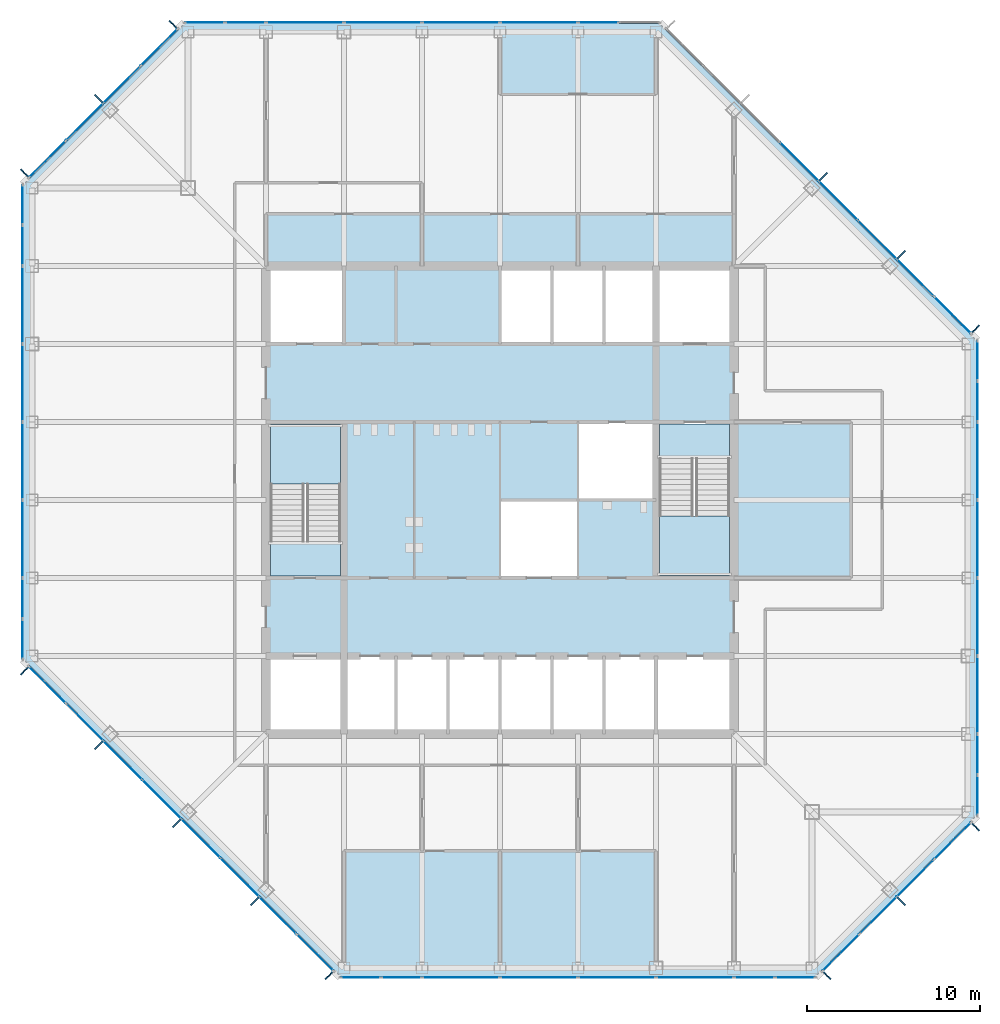
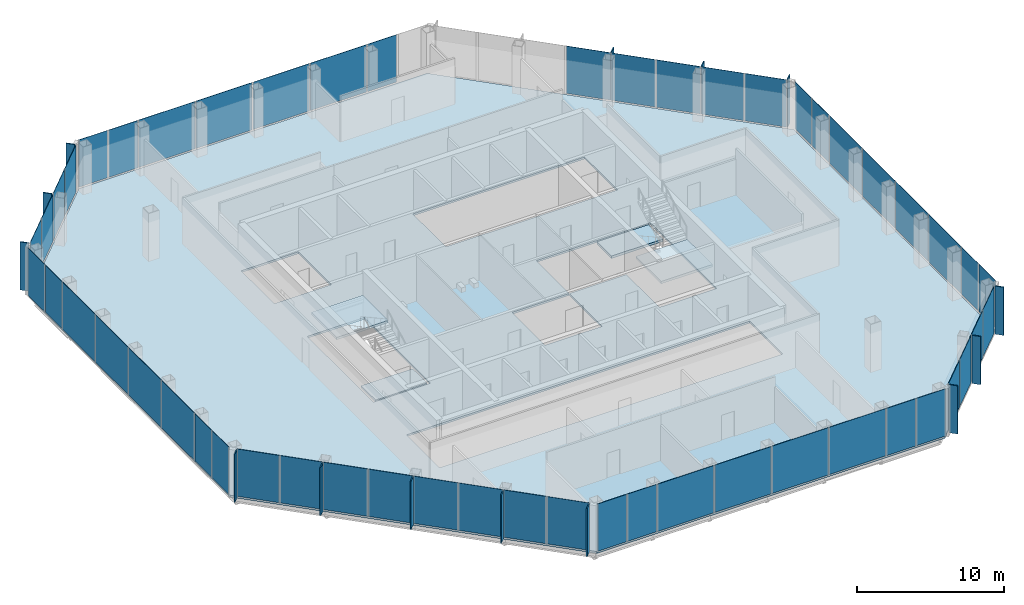
# One storey, part 7 of 12: 66 plates, 5 slabs, 10 elements without a shape of their own.
"""IFC4 building model written with IfcOpenShell, lengths in metres."""

from ifc_helpers import new_model, si_unit, direction, frame, origin, origin_2d, place, context, subcontext, project, spatial, polyline, rectangle, outline, extrude, material, layer, layer_set, type_object, element, aggregate, save


model = new_model("IFC4")

# Units and contexts
model_context = context("Model", 3, precision=1e-05, world=origin(), true_north=direction((0.0, 1.0)))
body_context = subcontext(model_context, "Body", "Model", "MODEL_VIEW")
ifc_project = project(units=[si_unit("LENGTHUNIT", "METRE"), si_unit("AREAUNIT", "SQUARE_METRE"), si_unit("VOLUMEUNIT", "CUBIC_METRE"), si_unit("PLANEANGLEUNIT", "RADIAN"), si_unit("MASSUNIT", "GRAM", prefix="KILO")], contexts=[model_context])

# Site, building, storey
site_placement = place(None, origin())
site = spatial("IfcSite", under=ifc_project, at=site_placement, CompositionType="ELEMENT")
building_placement = place(site_placement, origin())
building = spatial("IfcBuilding", under=site, at=building_placement, Name="Corais Broadcast Tower", CompositionType="ELEMENT")
storey_placement = place(building_placement, frame((0.0, 0.0, 183.60009765625)))
storey = spatial("IfcBuildingStorey", under=building, at=storey_placement, Name="L42", CompositionType="ELEMENT", Elevation=183.60009765625)

# Slab
ifc_material_1 = material(Name="Concrete C30/37", Category="concrete")
ifc_layer_1 = layer(ifc_material_1, 0.159912109375)
ifc_layer_set_1 = layer_set([ifc_layer_1], Name="Concrete C30/37")
slab_type_1 = type_object("IfcSlabType", Name="Composite floor slab 160", PredefinedType="FLOOR", material=ifc_layer_set_1)
slab_1_placement = place(storey_placement, frame((0.0, 0.0, -0.16015625)))
element("IfcSlab", 1, at=slab_1_placement, inside=storey, type_object=slab_type_1, Name="S160 floor slab L42", PredefinedType="FLOOR", context=body_context, shape_type="SweptSolid", body=[
    extrude(outline(polyline([(17.80126953125, -0.47998046875), (-0.47998046875, 17.80126953125), (-0.47998046875, 45.19873046875), (8.80126953125, 54.47998046875), (36.19873046875, 54.47998046875), (54.47998046875, 36.19873046875), (54.47998046875, 8.80126953125), (45.19873046875, -0.47998046875), (17.80126953125, -0.47998046875)]), holes=[polyline([(13.5, 18.0), (40.5, 18.0), (40.5, 13.5), (13.5, 13.5), (13.5, 18.0)]), polyline([(18.0, 22.5), (13.5, 22.5), (13.5, 31.5), (18.0, 31.5), (18.0, 22.5)]), polyline([(18.0, 36.0), (13.5, 36.0), (13.5, 40.5), (18.0, 40.5), (18.0, 36.0)]), polyline([(31.5, 22.5), (27.0, 22.5), (27.0, 27.0), (31.4951171875, 27.0), (31.4951171875, 27.0048828125), (31.5, 27.0048828125), (31.5, 31.5), (40.5, 31.5), (40.5, 22.5), (36.0, 22.5), (36.0, 27.0), (31.5048828125, 27.0), (31.5048828125, 26.9951171875), (31.5, 26.9951171875), (31.5, 22.5)]), polyline([(27.0, 40.5), (40.5, 40.5), (40.5, 36.0), (27.0, 36.0), (27.0, 40.5)])]), origin(), (0.0, 0.0, 1.0), 0.16015625),
])

# Curtain wall, plates
ifc_material_2 = material(Name="Aluminium and glass", Category="aluminium")
curtain_wall_type = type_object("IfcCurtainWallType", Name="Unitised fritted curtain wall CW2", PredefinedType="NOTDEFINED", material=ifc_material_2)
curtain_wall_1_placement = place(storey_placement, origin())
curtain_wall_1 = element("IfcCurtainWall", 2, at=curtain_wall_1_placement, inside=storey, type_object=curtain_wall_type, Name="CW2 curtain wall L42 1", PredefinedType="NOTDEFINED")
ifc_material_3 = material(Name="Ceramic-fritted laminated glass", Category="glass")
ifc_layer_2 = layer(ifc_material_3, 0.028076171875)
ifc_layer_set_2 = layer_set([ifc_layer_2], Name="Ceramic-fritted laminated glass")
plate_type_1 = type_object("IfcPlateType", Name="Fritted glass panel CW2", PredefinedType="CURTAIN_PANEL", material=ifc_layer_set_2)
plate_1_placement = place(storey_placement, frame((16.330322265625, 0.891845703125, 0.06494140625), z_axis=(0.0, 0.0, 1.0), x_axis=(-0.707106781187, 0.707106781187, 0.0)))
plate_1 = element("IfcPlate", 3, at=plate_1_placement, type_object=plate_type_1, Name="CW2 panel 1", PredefinedType="CURTAIN_PANEL", context=body_context, shape_type="SweptSolid", body=[
    extrude(rectangle(XDim=2.9482421875, YDim=0.028076171875, at=origin_2d()), origin(), (0.0, 0.0, 1.0), 3.93505859375),
])
plate_2_placement = place(storey_placement, frame((11.986083984375, 5.236083984375, 0.06494140625), z_axis=(0.0, 0.0, 1.0), x_axis=(-0.707106781187, 0.707106781187, 0.0)))
plate_2 = element("IfcPlate", 4, at=plate_2_placement, type_object=plate_type_1, Name="CW2 panel 3", PredefinedType="CURTAIN_PANEL", context=body_context, shape_type="SweptSolid", body=[
    extrude(rectangle(XDim=3.116943359375, YDim=0.028076171875, at=origin_2d()), origin(), (0.0, 0.0, 1.0), 3.93505859375),
])
plate_3_placement = place(storey_placement, frame((7.486083984375, 9.736083984375, 0.06494140625), z_axis=(0.0, 0.0, 1.0), x_axis=(-0.707106781187, 0.707106781187, 0.0)))
plate_3 = element("IfcPlate", 5, at=plate_3_placement, type_object=plate_type_1, Name="CW2 panel 5", PredefinedType="CURTAIN_PANEL", context=body_context, shape_type="SweptSolid", body=[
    extrude(rectangle(XDim=3.116943359375, YDim=0.028076171875, at=origin_2d()), origin(), (0.0, 0.0, 1.0), 3.93505859375),
])
plate_4_placement = place(storey_placement, frame((3.0341796875, 14.18798828125, 0.06494140625), z_axis=(0.0, 0.0, 1.0), x_axis=(-0.707106781187, 0.707106781187, 0.0)))
plate_4 = element("IfcPlate", 6, at=plate_4_placement, type_object=plate_type_1, Name="CW2 panel 7", PredefinedType="CURTAIN_PANEL", context=body_context, shape_type="SweptSolid", body=[
    extrude(rectangle(XDim=2.98095703125, YDim=0.028076171875, at=origin_2d()), origin(), (0.0, 0.0, 1.0), 3.93505859375),
])

curtain_wall_2_placement = place(storey_placement, origin())
curtain_wall_2 = element("IfcCurtainWall", 7, at=curtain_wall_2_placement, inside=storey, type_object=curtain_wall_type, Name="CW2 curtain wall L42 2", PredefinedType="NOTDEFINED")
plate_5_placement = place(storey_placement, frame((-0.550048828125, 18.970458984375, 0.06494140625), z_axis=(0.0, 0.0, 1.0), x_axis=(0.0, 1.0, 0.0)))
plate_5 = element("IfcPlate", 8, at=plate_5_placement, type_object=plate_type_1, Name="CW2 panel 1", PredefinedType="CURTAIN_PANEL", context=body_context, shape_type="SweptSolid", body=[
    extrude(rectangle(XDim=2.266357421875, YDim=0.028076171875, at=origin_2d()), origin(), (0.0, 0.0, 1.0), 3.93505859375),
])
plate_6_placement = place(storey_placement, frame((-0.550048828125, 24.75, 0.06494140625), z_axis=(0.0, 0.0, 1.0), x_axis=(0.0, 1.0, 0.0)))
plate_6 = element("IfcPlate", 9, at=plate_6_placement, type_object=plate_type_1, Name="CW2 panel 3", PredefinedType="CURTAIN_PANEL", context=body_context, shape_type="SweptSolid", body=[
    extrude(rectangle(XDim=4.43505859375, YDim=0.028076171875, at=origin_2d()), origin(), (0.0, 0.0, 1.0), 3.93505859375),
])
plate_7_placement = place(storey_placement, frame((-0.550048828125, 33.75, 0.06494140625), z_axis=(0.0, 0.0, 1.0), x_axis=(0.0, 1.0, 0.0)))
plate_7 = element("IfcPlate", 10, at=plate_7_placement, type_object=plate_type_1, Name="CW2 panel 5", PredefinedType="CURTAIN_PANEL", context=body_context, shape_type="SweptSolid", body=[
    extrude(rectangle(XDim=4.43505859375, YDim=0.028076171875, at=origin_2d()), origin(), (0.0, 0.0, 1.0), 3.93505859375),
])
plate_8_placement = place(storey_placement, frame((-0.550048828125, 41.681884765625, 0.06494140625), z_axis=(0.0, 0.0, 1.0), x_axis=(0.0, 1.0, 0.0)))
plate_8 = element("IfcPlate", 11, at=plate_8_placement, type_object=plate_type_1, Name="CW2 panel 7", PredefinedType="CURTAIN_PANEL", context=body_context, shape_type="SweptSolid", body=[
    extrude(rectangle(XDim=2.298828125, YDim=0.028076171875, at=origin_2d()), origin(), (0.0, 0.0, 1.0), 3.93505859375),
])

curtain_wall_3_placement = place(storey_placement, origin())
curtain_wall_3 = element("IfcCurtainWall", 12, at=curtain_wall_3_placement, inside=storey, type_object=curtain_wall_type, Name="CW2 curtain wall L42 3", PredefinedType="NOTDEFINED")
plate_9_placement = place(storey_placement, frame((0.891845703125, 46.669677734375, 0.06494140625), z_axis=(0.0, 0.0, 1.0), x_axis=(0.707106781187, 0.707106781187, 0.0)))
plate_9 = element("IfcPlate", 13, at=plate_9_placement, type_object=plate_type_1, Name="CW2 panel 1", PredefinedType="CURTAIN_PANEL", context=body_context, shape_type="SweptSolid", body=[
    extrude(rectangle(XDim=2.9482421875, YDim=0.028076171875, at=origin_2d()), origin(), (0.0, 0.0, 1.0), 3.93505859375),
])
plate_10_placement = place(storey_placement, frame((5.18798828125, 50.9658203125, 0.06494140625), z_axis=(0.0, 0.0, 1.0), x_axis=(0.707106781187, 0.707106781187, 0.0)))
plate_10 = element("IfcPlate", 14, at=plate_10_placement, type_object=plate_type_1, Name="CW2 panel 3", PredefinedType="CURTAIN_PANEL", context=body_context, shape_type="SweptSolid", body=[
    extrude(rectangle(XDim=2.98095703125, YDim=0.028076171875, at=origin_2d()), origin(), (0.0, 0.0, 1.0), 3.93505859375),
])

curtain_wall_4_placement = place(storey_placement, origin())
curtain_wall_4 = element("IfcCurtainWall", 15, at=curtain_wall_4_placement, inside=storey, type_object=curtain_wall_type, Name="CW2 curtain wall L42 4", PredefinedType="NOTDEFINED")
plate_11_placement = place(storey_placement, frame((9.970458984375, 54.550048828125, 0.06494140625), z_axis=(0.0, 0.0, 1.0), x_axis=(1.0, 0.0, 0.0)))
plate_11 = element("IfcPlate", 16, at=plate_11_placement, type_object=plate_type_1, Name="CW2 panel 1", PredefinedType="CURTAIN_PANEL", context=body_context, shape_type="SweptSolid", body=[
    extrude(rectangle(XDim=2.266357421875, YDim=0.028076171875, at=origin_2d()), origin(), (0.0, 0.0, 1.0), 3.93505859375),
])
plate_12_placement = place(storey_placement, frame((15.75, 54.550048828125, 0.06494140625), z_axis=(0.0, 0.0, 1.0), x_axis=(1.0, 0.0, 0.0)))
plate_12 = element("IfcPlate", 17, at=plate_12_placement, type_object=plate_type_1, Name="CW2 panel 3", PredefinedType="CURTAIN_PANEL", context=body_context, shape_type="SweptSolid", body=[
    extrude(rectangle(XDim=4.43505859375, YDim=0.028076171875, at=origin_2d()), origin(), (0.0, 0.0, 1.0), 3.93505859375),
])
plate_13_placement = place(storey_placement, frame((24.75, 54.550048828125, 0.06494140625), z_axis=(0.0, 0.0, 1.0), x_axis=(1.0, 0.0, 0.0)))
plate_13 = element("IfcPlate", 18, at=plate_13_placement, type_object=plate_type_1, Name="CW2 panel 5", PredefinedType="CURTAIN_PANEL", context=body_context, shape_type="SweptSolid", body=[
    extrude(rectangle(XDim=4.43505859375, YDim=0.028076171875, at=origin_2d()), origin(), (0.0, 0.0, 1.0), 3.93505859375),
])
plate_14_placement = place(storey_placement, frame((32.681884765625, 54.550048828125, 0.06494140625), z_axis=(0.0, 0.0, 1.0), x_axis=(1.0, 0.0, 0.0)))
plate_14 = element("IfcPlate", 19, at=plate_14_placement, type_object=plate_type_1, Name="CW2 panel 7", PredefinedType="CURTAIN_PANEL", context=body_context, shape_type="SweptSolid", body=[
    extrude(rectangle(XDim=2.298828125, YDim=0.028076171875, at=origin_2d()), origin(), (0.0, 0.0, 1.0), 3.93505859375),
])

curtain_wall_5_placement = place(storey_placement, origin())
curtain_wall_5 = element("IfcCurtainWall", 20, at=curtain_wall_5_placement, inside=storey, type_object=curtain_wall_type, Name="CW2 curtain wall L42 5", PredefinedType="NOTDEFINED")
plate_15_placement = place(storey_placement, frame((46.513916015625, 44.263916015625, 0.06494140625), z_axis=(0.0, 0.0, 1.0), x_axis=(0.707106781187, -0.707106781187, 0.0)))
plate_15 = element("IfcPlate", 21, at=plate_15_placement, type_object=plate_type_1, Name="CW2 panel 5", PredefinedType="CURTAIN_PANEL", context=body_context, shape_type="SweptSolid", body=[
    extrude(rectangle(XDim=3.116943359375, YDim=0.028076171875, at=origin_2d()), origin(), (0.0, 0.0, 1.0), 3.93505859375),
])
plate_16_placement = place(storey_placement, frame((50.9658203125, 39.81201171875, 0.06494140625), z_axis=(0.0, 0.0, 1.0), x_axis=(0.707106781187, -0.707106781187, 0.0)))
plate_16 = element("IfcPlate", 22, at=plate_16_placement, type_object=plate_type_1, Name="CW2 panel 7", PredefinedType="CURTAIN_PANEL", context=body_context, shape_type="SweptSolid", body=[
    extrude(rectangle(XDim=2.98095703125, YDim=0.028076171875, at=origin_2d()), origin(), (0.0, 0.0, 1.0), 3.93505859375),
])

curtain_wall_6_placement = place(storey_placement, origin())
curtain_wall_6 = element("IfcCurtainWall", 23, at=curtain_wall_6_placement, inside=storey, type_object=curtain_wall_type, Name="CW2 curtain wall L42 6", PredefinedType="NOTDEFINED")
plate_17_placement = place(storey_placement, frame((54.550048828125, 35.029541015625, 0.06494140625), z_axis=(0.0, 0.0, 1.0), x_axis=(0.0, -1.0, 0.0)))
plate_17 = element("IfcPlate", 24, at=plate_17_placement, type_object=plate_type_1, Name="CW2 panel 1", PredefinedType="CURTAIN_PANEL", context=body_context, shape_type="SweptSolid", body=[
    extrude(rectangle(XDim=2.266357421875, YDim=0.028076171875, at=origin_2d()), origin(), (0.0, 0.0, 1.0), 3.93505859375),
])
plate_18_placement = place(storey_placement, frame((54.550048828125, 29.25, 0.06494140625), z_axis=(0.0, 0.0, 1.0), x_axis=(0.0, -1.0, 0.0)))
plate_18 = element("IfcPlate", 25, at=plate_18_placement, type_object=plate_type_1, Name="CW2 panel 3", PredefinedType="CURTAIN_PANEL", context=body_context, shape_type="SweptSolid", body=[
    extrude(rectangle(XDim=4.43505859375, YDim=0.028076171875, at=origin_2d()), origin(), (0.0, 0.0, 1.0), 3.93505859375),
])
plate_19_placement = place(storey_placement, frame((54.550048828125, 20.25, 0.06494140625), z_axis=(0.0, 0.0, 1.0), x_axis=(0.0, -1.0, 0.0)))
plate_19 = element("IfcPlate", 26, at=plate_19_placement, type_object=plate_type_1, Name="CW2 panel 5", PredefinedType="CURTAIN_PANEL", context=body_context, shape_type="SweptSolid", body=[
    extrude(rectangle(XDim=4.43505859375, YDim=0.028076171875, at=origin_2d()), origin(), (0.0, 0.0, 1.0), 3.93505859375),
])
plate_20_placement = place(storey_placement, frame((54.550048828125, 12.318115234375, 0.06494140625), z_axis=(0.0, 0.0, 1.0), x_axis=(0.0, -1.0, 0.0)))
plate_20 = element("IfcPlate", 27, at=plate_20_placement, type_object=plate_type_1, Name="CW2 panel 7", PredefinedType="CURTAIN_PANEL", context=body_context, shape_type="SweptSolid", body=[
    extrude(rectangle(XDim=2.298828125, YDim=0.028076171875, at=origin_2d()), origin(), (0.0, 0.0, 1.0), 3.93505859375),
])

curtain_wall_7_placement = place(storey_placement, origin())
curtain_wall_7 = element("IfcCurtainWall", 28, at=curtain_wall_7_placement, inside=storey, type_object=curtain_wall_type, Name="CW2 curtain wall L42 7", PredefinedType="NOTDEFINED")
plate_21_placement = place(storey_placement, frame((53.108154296875, 7.330322265625, 0.06494140625), z_axis=(0.0, 0.0, 1.0), x_axis=(-0.707106781187, -0.707106781187, 0.0)))
plate_21 = element("IfcPlate", 29, at=plate_21_placement, type_object=plate_type_1, Name="CW2 panel 1", PredefinedType="CURTAIN_PANEL", context=body_context, shape_type="SweptSolid", body=[
    extrude(rectangle(XDim=2.9482421875, YDim=0.028076171875, at=origin_2d()), origin(), (0.0, 0.0, 1.0), 3.93505859375),
])
plate_22_placement = place(storey_placement, frame((48.81201171875, 3.0341796875, 0.06494140625), z_axis=(0.0, 0.0, 1.0), x_axis=(-0.707106781187, -0.707106781187, 0.0)))
plate_22 = element("IfcPlate", 30, at=plate_22_placement, type_object=plate_type_1, Name="CW2 panel 3", PredefinedType="CURTAIN_PANEL", context=body_context, shape_type="SweptSolid", body=[
    extrude(rectangle(XDim=2.98095703125, YDim=0.028076171875, at=origin_2d()), origin(), (0.0, 0.0, 1.0), 3.93505859375),
])

curtain_wall_8_placement = place(storey_placement, origin())
curtain_wall_8 = element("IfcCurtainWall", 31, at=curtain_wall_8_placement, inside=storey, type_object=curtain_wall_type, Name="CW2 curtain wall L42 8", PredefinedType="NOTDEFINED")
plate_23_placement = place(storey_placement, frame((44.029541015625, -0.550048828125, 0.06494140625), z_axis=(0.0, 0.0, 1.0), x_axis=(-1.0, 0.0, 0.0)))
plate_23 = element("IfcPlate", 32, at=plate_23_placement, type_object=plate_type_1, Name="CW2 panel 1", PredefinedType="CURTAIN_PANEL", context=body_context, shape_type="SweptSolid", body=[
    extrude(rectangle(XDim=2.266357421875, YDim=0.028076171875, at=origin_2d()), origin(), (0.0, 0.0, 1.0), 3.93505859375),
])
plate_24_placement = place(storey_placement, frame((38.25, -0.550048828125, 0.06494140625), z_axis=(0.0, 0.0, 1.0), x_axis=(-1.0, 0.0, 0.0)))
plate_24 = element("IfcPlate", 33, at=plate_24_placement, type_object=plate_type_1, Name="CW2 panel 3", PredefinedType="CURTAIN_PANEL", context=body_context, shape_type="SweptSolid", body=[
    extrude(rectangle(XDim=4.43505859375, YDim=0.028076171875, at=origin_2d()), origin(), (0.0, 0.0, 1.0), 3.93505859375),
])
plate_25_placement = place(storey_placement, frame((29.25, -0.550048828125, 0.06494140625), z_axis=(0.0, 0.0, 1.0), x_axis=(-1.0, 0.0, 0.0)))
plate_25 = element("IfcPlate", 34, at=plate_25_placement, type_object=plate_type_1, Name="CW2 panel 5", PredefinedType="CURTAIN_PANEL", context=body_context, shape_type="SweptSolid", body=[
    extrude(rectangle(XDim=4.43505859375, YDim=0.028076171875, at=origin_2d()), origin(), (0.0, 0.0, 1.0), 3.93505859375),
])
plate_26_placement = place(storey_placement, frame((21.318115234375, -0.550048828125, 0.06494140625), z_axis=(0.0, 0.0, 1.0), x_axis=(-1.0, 0.0, 0.0)))
plate_26 = element("IfcPlate", 35, at=plate_26_placement, type_object=plate_type_1, Name="CW2 panel 7", PredefinedType="CURTAIN_PANEL", context=body_context, shape_type="SweptSolid", body=[
    extrude(rectangle(XDim=2.298828125, YDim=0.028076171875, at=origin_2d()), origin(), (0.0, 0.0, 1.0), 3.93505859375),
])

# Plate
ifc_material_4 = material(Name="Clear laminated glass", Category="glass")
ifc_layer_3 = layer(ifc_material_4, 0.031982421875)
ifc_layer_set_3 = layer_set([ifc_layer_3], Name="Clear laminated glass")
plate_type_2 = type_object("IfcPlateType", Name="Operable glass panel CW2", PredefinedType="CURTAIN_PANEL", material=ifc_layer_set_3)
plate_27_placement = place(storey_placement, frame((14.18798828125, 3.0341796875, 0.06494140625), z_axis=(0.0, 0.0, 1.0), x_axis=(-0.707106781187, 0.707106781187, 0.0)))
plate_27 = element("IfcPlate", 36, at=plate_27_placement, type_object=plate_type_2, Name="CW2 operable panel 2", PredefinedType="CURTAIN_PANEL", context=body_context, shape_type="SweptSolid", body=[
    extrude(rectangle(XDim=2.98095703125, YDim=0.031982421875, at=origin_2d()), origin(), (0.0, 0.0, 1.0), 3.93505859375),
])

plate_28_placement = place(storey_placement, frame((9.736083984375, 7.486083984375, 0.06494140625), z_axis=(0.0, 0.0, 1.0), x_axis=(-0.707106781187, 0.707106781187, 0.0)))
plate_28 = element("IfcPlate", 37, at=plate_28_placement, type_object=plate_type_2, Name="CW2 operable panel 4", PredefinedType="CURTAIN_PANEL", context=body_context, shape_type="SweptSolid", body=[
    extrude(rectangle(XDim=3.116943359375, YDim=0.031982421875, at=origin_2d()), origin(), (0.0, 0.0, 1.0), 3.93505859375),
])

plate_29_placement = place(storey_placement, frame((5.236083984375, 11.986083984375, 0.06494140625), z_axis=(0.0, 0.0, 1.0), x_axis=(-0.707106781187, 0.707106781187, 0.0)))
plate_29 = element("IfcPlate", 38, at=plate_29_placement, type_object=plate_type_2, Name="CW2 operable panel 6", PredefinedType="CURTAIN_PANEL", context=body_context, shape_type="SweptSolid", body=[
    extrude(rectangle(XDim=3.116943359375, YDim=0.031982421875, at=origin_2d()), origin(), (0.0, 0.0, 1.0), 3.93505859375),
])

plate_30_placement = place(storey_placement, frame((0.89208984375, 16.330322265625, 0.06494140625), z_axis=(0.0, 0.0, 1.0), x_axis=(-0.707106781187, 0.707106781187, 0.0)))
plate_30 = element("IfcPlate", 39, at=plate_30_placement, type_object=plate_type_2, Name="CW2 operable panel 8", PredefinedType="CURTAIN_PANEL", context=body_context, shape_type="SweptSolid", body=[
    extrude(rectangle(XDim=2.948486328125, YDim=0.031982421875, at=origin_2d()), origin(), (0.0, 0.0, 1.0), 3.93505859375),
])

aggregate(curtain_wall_1, [plate_1, plate_27, plate_2, plate_28, plate_3, plate_29, plate_4, plate_30])

plate_31_placement = place(storey_placement, frame((-0.550048828125, 21.318115234375, 0.06494140625), z_axis=(0.0, 0.0, 1.0), x_axis=(0.0, 1.0, 0.0)))
plate_31 = element("IfcPlate", 40, at=plate_31_placement, type_object=plate_type_2, Name="CW2 operable panel 2", PredefinedType="CURTAIN_PANEL", context=body_context, shape_type="SweptSolid", body=[
    extrude(rectangle(XDim=2.298828125, YDim=0.031982421875, at=origin_2d()), origin(), (0.0, 0.0, 1.0), 3.93505859375),
])

plate_32_placement = place(storey_placement, frame((-0.550048828125, 29.25, 0.06494140625), z_axis=(0.0, 0.0, 1.0), x_axis=(0.0, 1.0, 0.0)))
plate_32 = element("IfcPlate", 41, at=plate_32_placement, type_object=plate_type_2, Name="CW2 operable panel 4", PredefinedType="CURTAIN_PANEL", context=body_context, shape_type="SweptSolid", body=[
    extrude(rectangle(XDim=4.43505859375, YDim=0.031982421875, at=origin_2d()), origin(), (0.0, 0.0, 1.0), 3.93505859375),
])

plate_33_placement = place(storey_placement, frame((-0.550048828125, 38.25, 0.06494140625), z_axis=(0.0, 0.0, 1.0), x_axis=(0.0, 1.0, 0.0)))
plate_33 = element("IfcPlate", 42, at=plate_33_placement, type_object=plate_type_2, Name="CW2 operable panel 6", PredefinedType="CURTAIN_PANEL", context=body_context, shape_type="SweptSolid", body=[
    extrude(rectangle(XDim=4.43505859375, YDim=0.031982421875, at=origin_2d()), origin(), (0.0, 0.0, 1.0), 3.93505859375),
])

plate_34_placement = place(storey_placement, frame((-0.550048828125, 44.029541015625, 0.06494140625), z_axis=(0.0, 0.0, 1.0), x_axis=(0.0, 1.0, 0.0)))
plate_34 = element("IfcPlate", 43, at=plate_34_placement, type_object=plate_type_2, Name="CW2 operable panel 8", PredefinedType="CURTAIN_PANEL", context=body_context, shape_type="SweptSolid", body=[
    extrude(rectangle(XDim=2.266357421875, YDim=0.031982421875, at=origin_2d()), origin(), (0.0, 0.0, 1.0), 3.93505859375),
])

aggregate(curtain_wall_2, [plate_5, plate_31, plate_6, plate_32, plate_7, plate_33, plate_8, plate_34])

plate_35_placement = place(storey_placement, frame((3.0341796875, 48.81201171875, 0.06494140625), z_axis=(0.0, 0.0, 1.0), x_axis=(0.707106781187, 0.707106781187, 0.0)))
plate_35 = element("IfcPlate", 44, at=plate_35_placement, type_object=plate_type_2, Name="CW2 operable panel 2", PredefinedType="CURTAIN_PANEL", context=body_context, shape_type="SweptSolid", body=[
    extrude(rectangle(XDim=2.98095703125, YDim=0.031982421875, at=origin_2d()), origin(), (0.0, 0.0, 1.0), 3.93505859375),
])

plate_36_placement = place(storey_placement, frame((7.330322265625, 53.10791015625, 0.06494140625), z_axis=(0.0, 0.0, 1.0), x_axis=(0.707106781187, 0.707106781187, 0.0)))
plate_36 = element("IfcPlate", 45, at=plate_36_placement, type_object=plate_type_2, Name="CW2 operable panel 4", PredefinedType="CURTAIN_PANEL", context=body_context, shape_type="SweptSolid", body=[
    extrude(rectangle(XDim=2.948486328125, YDim=0.031982421875, at=origin_2d()), origin(), (0.0, 0.0, 1.0), 3.93505859375),
])

aggregate(curtain_wall_3, [plate_9, plate_35, plate_10, plate_36])

plate_37_placement = place(storey_placement, frame((12.318115234375, 54.550048828125, 0.06494140625), z_axis=(0.0, 0.0, 1.0), x_axis=(1.0, 0.0, 0.0)))
plate_37 = element("IfcPlate", 46, at=plate_37_placement, type_object=plate_type_2, Name="CW2 operable panel 2", PredefinedType="CURTAIN_PANEL", context=body_context, shape_type="SweptSolid", body=[
    extrude(rectangle(XDim=2.298828125, YDim=0.031982421875, at=origin_2d()), origin(), (0.0, 0.0, 1.0), 3.93505859375),
])

plate_38_placement = place(storey_placement, frame((20.25, 54.550048828125, 0.06494140625), z_axis=(0.0, 0.0, 1.0), x_axis=(1.0, 0.0, 0.0)))
plate_38 = element("IfcPlate", 47, at=plate_38_placement, type_object=plate_type_2, Name="CW2 operable panel 4", PredefinedType="CURTAIN_PANEL", context=body_context, shape_type="SweptSolid", body=[
    extrude(rectangle(XDim=4.43505859375, YDim=0.031982421875, at=origin_2d()), origin(), (0.0, 0.0, 1.0), 3.93505859375),
])

plate_39_placement = place(storey_placement, frame((29.25, 54.550048828125, 0.06494140625), z_axis=(0.0, 0.0, 1.0), x_axis=(1.0, 0.0, 0.0)))
plate_39 = element("IfcPlate", 48, at=plate_39_placement, type_object=plate_type_2, Name="CW2 operable panel 6", PredefinedType="CURTAIN_PANEL", context=body_context, shape_type="SweptSolid", body=[
    extrude(rectangle(XDim=4.43505859375, YDim=0.031982421875, at=origin_2d()), origin(), (0.0, 0.0, 1.0), 3.93505859375),
])

aggregate(curtain_wall_4, [plate_11, plate_37, plate_12, plate_38, plate_13, plate_39, plate_14])

plate_40_placement = place(storey_placement, frame((44.263916015625, 46.513916015625, 0.06494140625), z_axis=(0.0, 0.0, 1.0), x_axis=(0.707106781187, -0.707106781187, 0.0)))
plate_40 = element("IfcPlate", 49, at=plate_40_placement, type_object=plate_type_2, Name="CW2 operable panel 4", PredefinedType="CURTAIN_PANEL", context=body_context, shape_type="SweptSolid", body=[
    extrude(rectangle(XDim=3.116943359375, YDim=0.031982421875, at=origin_2d()), origin(), (0.0, 0.0, 1.0), 3.93505859375),
])

plate_41_placement = place(storey_placement, frame((48.763916015625, 42.013916015625, 0.06494140625), z_axis=(0.0, 0.0, 1.0), x_axis=(0.707106781187, -0.707106781187, 0.0)))
plate_41 = element("IfcPlate", 50, at=plate_41_placement, type_object=plate_type_2, Name="CW2 operable panel 6", PredefinedType="CURTAIN_PANEL", context=body_context, shape_type="SweptSolid", body=[
    extrude(rectangle(XDim=3.116943359375, YDim=0.031982421875, at=origin_2d()), origin(), (0.0, 0.0, 1.0), 3.93505859375),
])

plate_42_placement = place(storey_placement, frame((53.10791015625, 37.669677734375, 0.06494140625), z_axis=(0.0, 0.0, 1.0), x_axis=(0.707106781187, -0.707106781187, 0.0)))
plate_42 = element("IfcPlate", 51, at=plate_42_placement, type_object=plate_type_2, Name="CW2 operable panel 8", PredefinedType="CURTAIN_PANEL", context=body_context, shape_type="SweptSolid", body=[
    extrude(rectangle(XDim=2.948486328125, YDim=0.031982421875, at=origin_2d()), origin(), (0.0, 0.0, 1.0), 3.93505859375),
])

aggregate(curtain_wall_5, [plate_40, plate_15, plate_41, plate_16, plate_42])

plate_43_placement = place(storey_placement, frame((54.550048828125, 32.681884765625, 0.06494140625), z_axis=(0.0, 0.0, 1.0), x_axis=(0.0, -1.0, 0.0)))
plate_43 = element("IfcPlate", 52, at=plate_43_placement, type_object=plate_type_2, Name="CW2 operable panel 2", PredefinedType="CURTAIN_PANEL", context=body_context, shape_type="SweptSolid", body=[
    extrude(rectangle(XDim=2.298828125, YDim=0.031982421875, at=origin_2d()), origin(), (0.0, 0.0, 1.0), 3.93505859375),
])

plate_44_placement = place(storey_placement, frame((54.550048828125, 24.75, 0.06494140625), z_axis=(0.0, 0.0, 1.0), x_axis=(0.0, -1.0, 0.0)))
plate_44 = element("IfcPlate", 53, at=plate_44_placement, type_object=plate_type_2, Name="CW2 operable panel 4", PredefinedType="CURTAIN_PANEL", context=body_context, shape_type="SweptSolid", body=[
    extrude(rectangle(XDim=4.43505859375, YDim=0.031982421875, at=origin_2d()), origin(), (0.0, 0.0, 1.0), 3.93505859375),
])

plate_45_placement = place(storey_placement, frame((54.550048828125, 15.75, 0.06494140625), z_axis=(0.0, 0.0, 1.0), x_axis=(0.0, -1.0, 0.0)))
plate_45 = element("IfcPlate", 54, at=plate_45_placement, type_object=plate_type_2, Name="CW2 operable panel 6", PredefinedType="CURTAIN_PANEL", context=body_context, shape_type="SweptSolid", body=[
    extrude(rectangle(XDim=4.43505859375, YDim=0.031982421875, at=origin_2d()), origin(), (0.0, 0.0, 1.0), 3.93505859375),
])

plate_46_placement = place(storey_placement, frame((54.550048828125, 9.970458984375, 0.06494140625), z_axis=(0.0, 0.0, 1.0), x_axis=(0.0, -1.0, 0.0)))
plate_46 = element("IfcPlate", 55, at=plate_46_placement, type_object=plate_type_2, Name="CW2 operable panel 8", PredefinedType="CURTAIN_PANEL", context=body_context, shape_type="SweptSolid", body=[
    extrude(rectangle(XDim=2.266357421875, YDim=0.031982421875, at=origin_2d()), origin(), (0.0, 0.0, 1.0), 3.93505859375),
])

aggregate(curtain_wall_6, [plate_17, plate_43, plate_18, plate_44, plate_19, plate_45, plate_20, plate_46])

plate_47_placement = place(storey_placement, frame((50.9658203125, 5.18798828125, 0.06494140625), z_axis=(0.0, 0.0, 1.0), x_axis=(-0.707106781187, -0.707106781187, 0.0)))
plate_47 = element("IfcPlate", 56, at=plate_47_placement, type_object=plate_type_2, Name="CW2 operable panel 2", PredefinedType="CURTAIN_PANEL", context=body_context, shape_type="SweptSolid", body=[
    extrude(rectangle(XDim=2.98095703125, YDim=0.031982421875, at=origin_2d()), origin(), (0.0, 0.0, 1.0), 3.93505859375),
])

plate_48_placement = place(storey_placement, frame((46.669677734375, 0.89208984375, 0.06494140625), z_axis=(0.0, 0.0, 1.0), x_axis=(-0.707106781187, -0.707106781187, 0.0)))
plate_48 = element("IfcPlate", 57, at=plate_48_placement, type_object=plate_type_2, Name="CW2 operable panel 4", PredefinedType="CURTAIN_PANEL", context=body_context, shape_type="SweptSolid", body=[
    extrude(rectangle(XDim=2.948486328125, YDim=0.031982421875, at=origin_2d()), origin(), (0.0, 0.0, 1.0), 3.93505859375),
])

aggregate(curtain_wall_7, [plate_21, plate_47, plate_22, plate_48])

plate_49_placement = place(storey_placement, frame((41.681884765625, -0.550048828125, 0.06494140625), z_axis=(0.0, 0.0, 1.0), x_axis=(-1.0, 0.0, 0.0)))
plate_49 = element("IfcPlate", 58, at=plate_49_placement, type_object=plate_type_2, Name="CW2 operable panel 2", PredefinedType="CURTAIN_PANEL", context=body_context, shape_type="SweptSolid", body=[
    extrude(rectangle(XDim=2.298828125, YDim=0.031982421875, at=origin_2d()), origin(), (0.0, 0.0, 1.0), 3.93505859375),
])

plate_50_placement = place(storey_placement, frame((33.75, -0.550048828125, 0.06494140625), z_axis=(0.0, 0.0, 1.0), x_axis=(-1.0, 0.0, 0.0)))
plate_50 = element("IfcPlate", 59, at=plate_50_placement, type_object=plate_type_2, Name="CW2 operable panel 4", PredefinedType="CURTAIN_PANEL", context=body_context, shape_type="SweptSolid", body=[
    extrude(rectangle(XDim=4.43505859375, YDim=0.031982421875, at=origin_2d()), origin(), (0.0, 0.0, 1.0), 3.93505859375),
])

plate_51_placement = place(storey_placement, frame((24.75, -0.550048828125, 0.06494140625), z_axis=(0.0, 0.0, 1.0), x_axis=(-1.0, 0.0, 0.0)))
plate_51 = element("IfcPlate", 60, at=plate_51_placement, type_object=plate_type_2, Name="CW2 operable panel 6", PredefinedType="CURTAIN_PANEL", context=body_context, shape_type="SweptSolid", body=[
    extrude(rectangle(XDim=4.43505859375, YDim=0.031982421875, at=origin_2d()), origin(), (0.0, 0.0, 1.0), 3.93505859375),
])

plate_52_placement = place(storey_placement, frame((18.970458984375, -0.550048828125, 0.06494140625), z_axis=(0.0, 0.0, 1.0), x_axis=(-1.0, 0.0, 0.0)))
plate_52 = element("IfcPlate", 61, at=plate_52_placement, type_object=plate_type_2, Name="CW2 operable panel 8", PredefinedType="CURTAIN_PANEL", context=body_context, shape_type="SweptSolid", body=[
    extrude(rectangle(XDim=2.266357421875, YDim=0.031982421875, at=origin_2d()), origin(), (0.0, 0.0, 1.0), 3.93505859375),
])

aggregate(curtain_wall_8, [plate_23, plate_49, plate_24, plate_50, plate_25, plate_51, plate_26, plate_52])

# Stair, slabs
ifc_material_5 = material(Name="Concrete C30/37", Category="concrete")
stair_type = type_object("IfcStairType", Name="Half-turn stair 4000", PredefinedType="HALF_TURN_STAIR", material=ifc_material_5)
stair_1_placement = place(storey_placement, origin())
stair_1 = element("IfcStair", 62, at=stair_1_placement, inside=storey, type_object=stair_type, Name="Stair A L42", PredefinedType="HALF_TURN_STAIR")
ifc_material_6 = material(Name="Concrete C30/37", Category="concrete")
ifc_layer_4 = layer(ifc_material_6, 0.199951171875)
ifc_layer_set_4 = layer_set([ifc_layer_4], Name="Concrete C30/37")
slab_type_2 = type_object("IfcSlabType", Name="Stair landing 200", PredefinedType="LANDING", material=ifc_layer_set_4)
slab_2_placement = place(storey_placement, frame((0.0, 0.0, -0.2001953125)))
slab_2 = element("IfcSlab", 63, at=slab_2_placement, type_object=slab_type_2, Name="STA landing 1", PredefinedType="LANDING", context=body_context, shape_type="SweptSolid", body=[
    extrude(outline(polyline([(13.75, 22.625), (17.800048828125, 22.625), (17.800048828125, 24.60009765625), (13.75, 24.60009765625), (13.75, 22.625)])), origin(), (0.0, 0.0, 1.0), 0.2001953125),
])
slab_3_placement = place(storey_placement, frame((0.0, 0.0, 1.7998046875)))
slab_3 = element("IfcSlab", 64, at=slab_3_placement, type_object=slab_type_2, Name="STA landing 2", PredefinedType="LANDING", context=body_context, shape_type="SweptSolid", body=[
    extrude(outline(polyline([(13.75, 27.922119140625), (17.800048828125, 27.922119140625), (17.800048828125, 31.375), (13.75, 31.375), (13.75, 27.922119140625)])), origin(), (0.0, 0.0, 1.0), 0.2001953125),
])
aggregate(stair_1, [slab_2, slab_3])

stair_2_placement = place(storey_placement, origin())
stair_2 = element("IfcStair", 65, at=stair_2_placement, inside=storey, type_object=stair_type, Name="Stair B L42", PredefinedType="HALF_TURN_STAIR")
slab_4_placement = place(storey_placement, frame((0.0, 0.0, -0.2001953125)))
slab_4 = element("IfcSlab", 66, at=slab_4_placement, type_object=slab_type_2, Name="STB landing 1", PredefinedType="LANDING", context=body_context, shape_type="SweptSolid", body=[
    extrude(outline(polyline([(36.199951171875, 29.39990234375), (40.25, 29.39990234375), (40.25, 31.375), (36.199951171875, 31.375), (36.199951171875, 29.39990234375)])), origin(), (0.0, 0.0, 1.0), 0.2001953125),
])
slab_5_placement = place(storey_placement, frame((0.0, 0.0, 1.7998046875)))
slab_5 = element("IfcSlab", 67, at=slab_5_placement, type_object=slab_type_2, Name="STB landing 2", PredefinedType="LANDING", context=body_context, shape_type="SweptSolid", body=[
    extrude(outline(polyline([(36.199951171875, 22.625), (40.25, 22.625), (40.25, 26.077880859375), (36.199951171875, 26.077880859375), (36.199951171875, 22.625)])), origin(), (0.0, 0.0, 1.0), 0.2001953125),
])
aggregate(stair_2, [slab_4, slab_5])

# Plates
ifc_material_7 = material(Name="Granite stone cladding", Category="masonry")
ifc_layer_5 = layer(ifc_material_7, 0.080078125)
ifc_layer_set_5 = layer_set([ifc_layer_5], Name="Granite stone cladding")
plate_type_3 = type_object("IfcPlateType", Name="Stone screen fin 80x600", PredefinedType="USERDEFINED", material=ifc_layer_set_5)
for number, where, z_axis, x_axis, name in (
    (68, (17.1220703125, -0.447021484375, 0.0), (0.0, 0.0, 1.0), (-0.707106781187, 0.707106781187, 0.0), "SF1 stone screen fin L42"),
    (69, (12.83740234375, 3.83740234375, 0.0), (0.0, 0.0, 1.0), (-0.707106781187, 0.707106781187, 0.0), "SF1 stone screen fin L42"),
    (70, (8.33740234375, 8.33740234375, 0.0), (0.0, 0.0, 1.0), (-0.707106781187, 0.707106781187, 0.0), "SF1 stone screen fin L42"),
    (71, (3.83740234375, 12.83740234375, 0.0), (0.0, 0.0, 1.0), (-0.707106781187, 0.707106781187, 0.0), "SF1 stone screen fin L42"),
    (72, (-0.447021484375, 17.1220703125, 0.0), (0.0, 0.0, 1.0), (-0.707106781187, 0.707106781187, 0.0), "SF1 stone screen fin L42"),
    (73, (-0.447021484375, 45.8779296875, 0.0), (0.0, 0.0, 1.0), (0.707106781187, 0.707106781187, 0.0), "SF1 stone screen fin L42"),
    (74, (3.83740234375, 50.16259765625, 0.0), (0.0, 0.0, 1.0), (0.707106781187, 0.707106781187, 0.0), "SF1 stone screen fin L42"),
    (75, (8.1220703125, 54.447021484375, 0.0), (0.0, 0.0, 1.0), (0.707106781187, 0.707106781187, 0.0), "SF1 stone screen fin L42"),
    (76, (45.66259765625, 45.66259765625, 0.0), (0.0, 0.0, 1.0), (0.707106781187, -0.707106781187, 0.0), "SF1 stone screen fin L42"),
    (77, (50.16259765625, 41.16259765625, 0.0), (0.0, 0.0, 1.0), (0.707106781187, -0.707106781187, 0.0), "SF1 stone screen fin L42"),
    (78, (54.447021484375, 36.8779296875, 0.0), (0.0, 0.0, 1.0), (0.707106781187, -0.707106781187, 0.0), "SF1 stone screen fin L42"),
    (79, (54.447021484375, 8.1220703125, 0.0), (0.0, 0.0, 1.0), (-0.707106781187, -0.707106781187, 0.0), "SF1 stone screen fin L42"),
    (80, (50.16259765625, 3.83740234375, 0.0), (0.0, 0.0, 1.0), (-0.707106781187, -0.707106781187, 0.0), "SF1 stone screen fin L42"),
    (81, (45.8779296875, -0.447021484375, 0.0), (0.0, 0.0, 1.0), (-0.707106781187, -0.707106781187, 0.0), "SF1 stone screen fin L42"),
):
    element("IfcPlate", number, at=place(storey_placement, frame(where, z_axis=z_axis, x_axis=x_axis)), inside=storey, type_object=plate_type_3, Name=name, ObjectType="STONE SCREEN FIN", PredefinedType="USERDEFINED", context=body_context, shape_type="SweptSolid", body=[
        extrude(rectangle(XDim=0.080078125, YDim=0.60009765625, at=origin_2d()), origin(), (0.0, 0.0, 1.0), 4.0),
    ])

save(model, "model.ifc")
